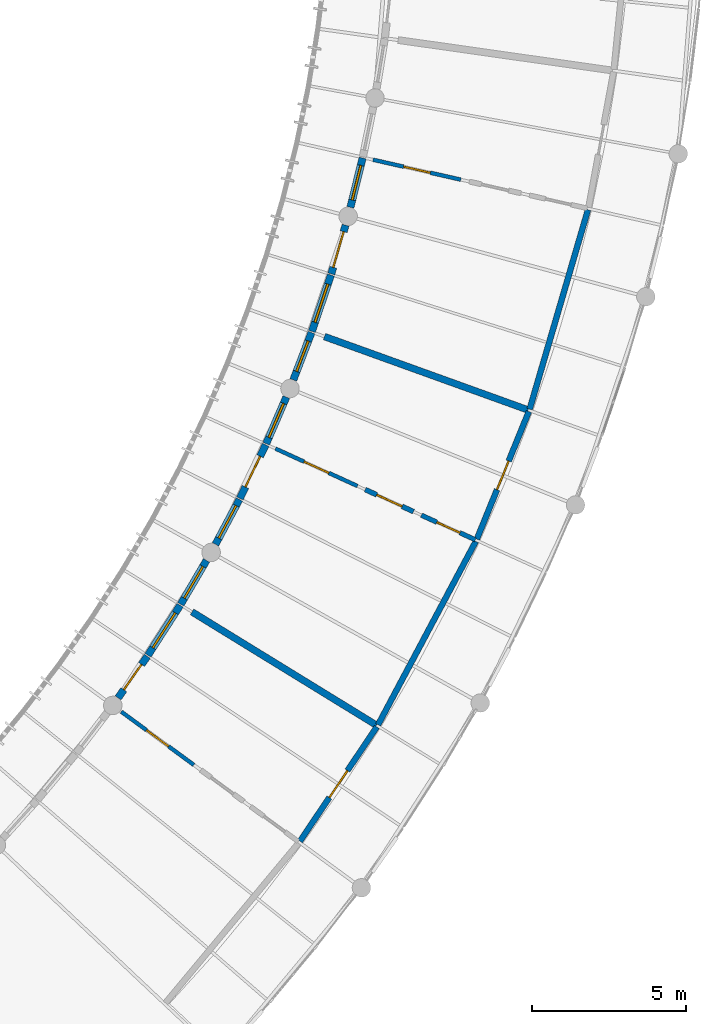
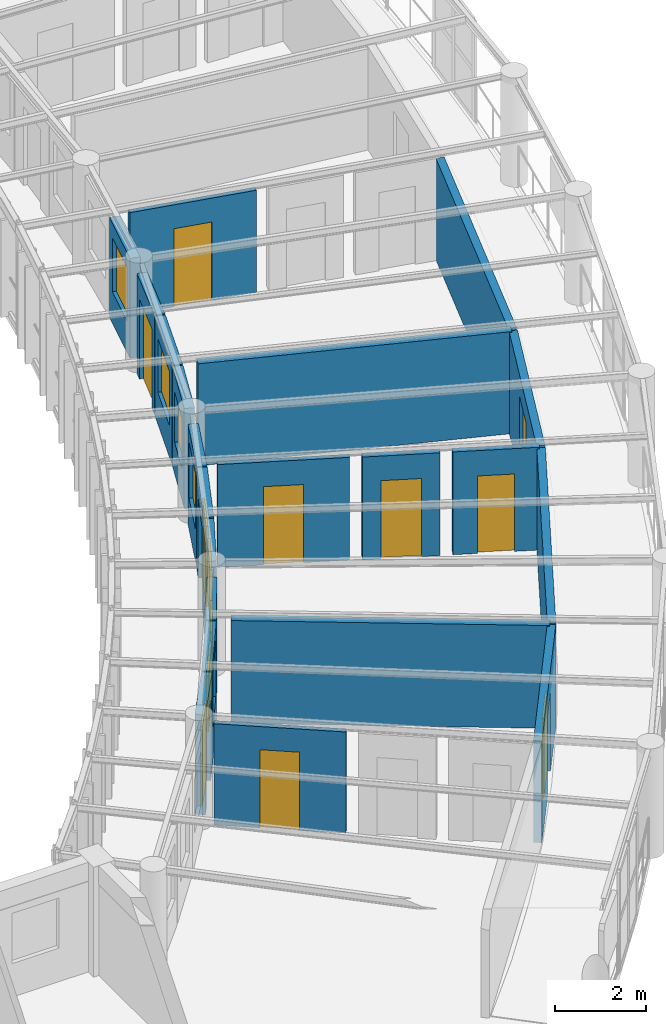
# One storey, part 60 of 100: 21 walls, 10 doors, 7 windows, 17 openings.
"""IFC4 building model written with IfcOpenShell, lengths in metres."""

import ifcopenshell
import ifcopenshell.guid

model = None  # the IFC model being written
_history = None  # IfcOwnerHistory: only IFC2X3 demands one
_inside = {}  # id of a spatial element -> (the spatial element, [elements in it])
_under = {}  # id of a project, library or spatial element -> (it, [spatial elements below it])
_declared = {}  # id of a project -> (the project, [libraries it declares])
_typed = {}  # id of a type object -> (the type object, [elements of that type])
_made_of = {}  # id of a material, layer set ... -> (it, [elements and type objects made of it])


def new_model(schema):
    """Start an empty IFC model of exactly this schema.

    Asked for "IFC4X3", IfcOpenShell would pick the latest addendum, in which some entities
    have other attributes; the version numbers below select the first issue.
    IFC2X3 requires an IfcOwnerHistory on every rooted entity: one is made here for all.
    """
    global model, _history
    if schema == "IFC4X3":
        model = ifcopenshell.file(schema_version=(4, 3, 0, 0))
    else:
        model = ifcopenshell.file(schema=schema)
    _inside.clear()
    _under.clear()
    _declared.clear()
    _typed.clear()
    _made_of.clear()
    _history = None
    if model.schema == "IFC2X3":
        org = make("IfcOrganization", Name="unknown")
        user = make(
            "IfcPersonAndOrganization",
            ThePerson=make("IfcPerson", FamilyName="unknown"),
            TheOrganization=org,
        )
        app = make(
            "IfcApplication",
            ApplicationDeveloper=org,
            Version="unknown",
            ApplicationFullName="unknown",
            ApplicationIdentifier="unknown",
        )
        _history = make(
            "IfcOwnerHistory",
            OwningUser=user,
            OwningApplication=app,
            ChangeAction="ADDED",
            CreationDate=0,
        )
    return model


def make(cls, **values):
    """One entity of the class cls with the attributes given. An attribute that is None is left unset."""
    return model.create_entity(
        cls, **{name: value for name, value in values.items() if value is not None}
    )


def rooted(cls, **values):
    """An entity with a GlobalId (a new one), such as an element, a storey or a relation."""
    return make(cls, GlobalId=ifcopenshell.guid.new(), OwnerHistory=_history, **values)


def si_unit(unit_type, name, prefix=None):
    """IfcSIUnit, for example si_unit("LENGTHUNIT", "METRE", prefix="MILLI")."""
    return make("IfcSIUnit", UnitType=unit_type, Prefix=prefix, Name=name)


def assignment(units):
    """IfcUnitAssignment: the units of a project."""
    return None if units is None else make("IfcUnitAssignment", Units=units)


def point(xyz):
    """IfcCartesianPoint."""
    return None if xyz is None else make("IfcCartesianPoint", Coordinates=xyz)


def direction(xyz):
    """IfcDirection."""
    return None if xyz is None else make("IfcDirection", DirectionRatios=xyz)


def frame(location, z_axis=None, x_axis=None):
    """IfcAxis2Placement3D, a coordinate frame: its origin and axes. An axis left out is left unset."""
    return make(
        "IfcAxis2Placement3D",
        Location=point(location),
        Axis=direction(z_axis),
        RefDirection=direction(x_axis),
    )


def frame_2d(location, x_axis=None):
    """IfcAxis2Placement2D, a coordinate frame in the plane: its origin and x axis."""
    return make(
        "IfcAxis2Placement2D", Location=point(location), RefDirection=direction(x_axis)
    )


def origin():
    """The frame at (0, 0, 0) with its axes left unset."""
    return frame((0.0, 0.0, 0.0))


def place(relative_to, where):
    """IfcLocalPlacement: puts the frame where relative to a parent placement (None: the world)."""
    return make(
        "IfcLocalPlacement", PlacementRelTo=relative_to, RelativePlacement=where
    )


def context(
    kind, dimensions, precision=None, world=None, true_north=None, identifier=None
):
    """IfcGeometricRepresentationContext, for example the 3D "Model" context."""
    return make(
        "IfcGeometricRepresentationContext",
        ContextIdentifier=identifier,
        ContextType=kind,
        CoordinateSpaceDimension=dimensions,
        Precision=precision,
        WorldCoordinateSystem=world,
        TrueNorth=true_north,
    )


def subcontext(parent, identifier, kind, view, scale=None):
    """IfcGeometricRepresentationSubContext, for example "Body" below "Model"."""
    return make(
        "IfcGeometricRepresentationSubContext",
        ContextIdentifier=identifier,
        ContextType=kind,
        ParentContext=parent,
        TargetScale=scale,
        TargetView=view,
    )


def project(units=None, contexts=None):
    """IfcProject with its units and contexts."""
    return rooted(
        "IfcProject",
        Name="project",
        RepresentationContexts=contexts,
        UnitsInContext=assignment(units),
    )


def spatial(cls, under=None, at=None, **own):
    """A site, building, storey or space (cls), placed at a placement, below another one or the project."""
    s = rooted(cls, ObjectPlacement=at, **own)
    if under is not None:
        _under.setdefault(under.id(), (under, []))[1].append(s)
    return s


def profile(cls, at=None, kind="AREA", **sizes):
    """A parametric profile (cls). Its sizes go by their IFC names, for example OverallWidth=200.0."""
    return make(cls, ProfileType=kind, Position=at, **sizes)


def rectangle(**sizes):
    """IfcRectangleProfileDef."""
    return profile("IfcRectangleProfileDef", **sizes)


def extrude(swept, where, along, depth):
    """IfcExtrudedAreaSolid: the profile swept, set in the frame where, extruded along a direction by depth."""
    return make(
        "IfcExtrudedAreaSolid",
        SweptArea=swept,
        Position=where,
        ExtrudedDirection=direction(along),
        Depth=depth,
    )


def shape(context_of_items, identifier, shape_type, items):
    """IfcShapeRepresentation: the items that make up one representation, for example the "Body"."""
    return make(
        "IfcShapeRepresentation",
        ContextOfItems=context_of_items,
        RepresentationIdentifier=identifier,
        RepresentationType=shape_type,
        Items=items,
    )


def material(Name=None, Category=None):
    """IfcMaterial."""
    return make("IfcMaterial", Name=Name, Category=Category)


def layer(
    of_material, thickness, ventilated=None, Name=None, Category=None, Priority=None
):
    """IfcMaterialLayer: one layer of a wall or slab, of a material (None: an air gap)."""
    return make(
        "IfcMaterialLayer",
        Material=of_material,
        LayerThickness=thickness,
        IsVentilated=ventilated,
        Name=Name,
        Category=Category,
        Priority=Priority,
    )


def layer_set(layers, Name=None):
    """IfcMaterialLayerSet."""
    return make("IfcMaterialLayerSet", MaterialLayers=layers, LayerSetName=Name)


def made_of(thing, what):
    """Note that an element or type object is made of a material, layer set ...; save() writes the relation."""
    if what is not None:
        _made_of.setdefault(what.id(), (what, []))[1].append(thing)
    return thing


def type_object(cls, material=None, **own):
    """A type object (cls), such as IfcWallType, which elements share."""
    return made_of(rooted(cls, **own), material)


def element(
    cls,
    number,
    at=None,
    inside=None,
    cuts=None,
    type_object=None,
    material=None,
    context=None,
    identifier="Body",
    shape_type=None,
    held_by="IfcProductDefinitionShape",
    body=None,
    shapes=None,
    **own,
):
    """One element of the class cls, such as IfcWall. Its Tag is "e" and its number.

    at: its placement. inside: the storey or other place that contains it. cuts: it is an
    opening in that element (IfcRelVoidsElement). A single representation is given by context,
    identifier, shape_type and body (its items); several are given by shapes. held_by: the class
    of the entity that holds the representations. save() writes the other relations.
    """
    e = rooted(cls, Tag="e%d" % number, ObjectPlacement=at, **own)
    if body is not None:
        shapes = [shape(context, identifier, shape_type, body)]
    if shapes is not None:
        e.Representation = make(held_by, Representations=shapes)
    if inside is not None:
        _inside.setdefault(inside.id(), (inside, []))[1].append(e)
    if cuts is not None:
        rooted(
            "IfcRelVoidsElement", RelatingBuildingElement=cuts, RelatedOpeningElement=e
        )
    if type_object is not None:
        _typed.setdefault(type_object.id(), (type_object, []))[1].append(e)
    return made_of(e, material)


def fill(opening, filler):
    """IfcRelFillsElement: the door or window that sits in an opening."""
    return rooted(
        "IfcRelFillsElement",
        RelatingOpeningElement=opening,
        RelatedBuildingElement=filler,
    )


def aggregate(whole, parts):
    """IfcRelAggregates: a whole, such as a stair, and the parts it consists of."""
    return rooted("IfcRelAggregates", RelatingObject=whole, RelatedObjects=parts)


def save(model, path):
    """Write the relations noted so far, then the file.

    IfcRelAggregates (storeys below a building ...), IfcRelContainedInSpatialStructure (elements
    in a storey), IfcRelDefinesByType, IfcRelAssociatesMaterial and IfcRelDeclares: one each for
    every whole, place, type object, material and project.
    """
    for whole, parts in _under.values():
        aggregate(whole, parts)
    for where, things in _inside.values():
        rooted(
            "IfcRelContainedInSpatialStructure",
            RelatedElements=things,
            RelatingStructure=where,
        )
    for kind, things in _typed.values():
        rooted("IfcRelDefinesByType", RelatedObjects=things, RelatingType=kind)
    for what, things in _made_of.values():
        rooted("IfcRelAssociatesMaterial", RelatedObjects=things, RelatingMaterial=what)
    for by, libraries in _declared.values():
        rooted("IfcRelDeclares", RelatingContext=by, RelatedDefinitions=libraries)
    model.write(path)


model = new_model("IFC4")

# Units and contexts
model_context = context("Model", 3, precision=1e-05, world=origin(), true_north=direction((0.0, 1.0)))
body_context = subcontext(model_context, "Body", "Model", "MODEL_VIEW")
ifc_project = project(units=[si_unit("LENGTHUNIT", "METRE"), si_unit("AREAUNIT", "SQUARE_METRE"), si_unit("VOLUMEUNIT", "CUBIC_METRE"), si_unit("PLANEANGLEUNIT", "RADIAN"), si_unit("MASSUNIT", "GRAM", prefix="KILO"), si_unit("POWERUNIT", "WATT"), si_unit("THERMODYNAMICTEMPERATUREUNIT", "KELVIN")], contexts=[model_context])

# Site, building, storey
site_placement = place(None, origin())
site = spatial("IfcSite", under=ifc_project, at=site_placement, CompositionType="ELEMENT")
building_placement = place(site_placement, origin())
building = spatial("IfcBuilding", under=site, at=building_placement, Name="Ruvembo Vaulted Housing Court", CompositionType="ELEMENT")
storey_placement = place(building_placement, frame((0.0, 0.0, 14.10009765625)))
storey = spatial("IfcBuildingStorey", under=building, at=storey_placement, Name="L04", CompositionType="ELEMENT", Elevation=14.10009765625)

# Wall, opening, door
ifc_material_1 = material(Name="Concrete Blockwork 190", Category="masonry")
ifc_layer_1 = layer(ifc_material_1, 0.18994140625, Name="Concrete Blockwork 190")
ifc_layer_set_1 = layer_set([ifc_layer_1], Name="Concrete Blockwork 190")
wall_type_1 = type_object("IfcWallType", Name="WL-CORR-190", PredefinedType="SOLIDWALL", material=ifc_layer_set_1)
wall_1_placement = place(storey_placement, frame((46.773681640625, 41.20703125, 0.0), z_axis=(0.0, 0.0, 1.0), x_axis=(0.55793724224, 0.829883144619, 0.0)))
wall_1 = element("IfcWall", 1, at=wall_1_placement, inside=storey, type_object=wall_type_1, Name="L04 Suite SC1-L04-U1 Entrance WL-INT-L04-01288", PredefinedType="SOLIDWALL", context=body_context, shape_type="SweptSolid", body=[
    extrude(rectangle(XDim=4.46728515625, YDim=0.18994140625, at=frame_2d((2.233642578125, 0.0))), origin(), (0.0, 0.0, 1.0), 2.741943359375),
])
opening_1_placement = place(wall_1_placement, frame((1.70849609375, 0.0, 0.0)))
opening_1 = element("IfcOpeningElement", 2, at=opening_1_placement, cuts=wall_1, Name="Opening FD3", PredefinedType="OPENING", context=body_context, shape_type="SweptSolid", body=[
    extrude(rectangle(XDim=1.050048828125, YDim=2.14990234375, at=frame_2d((0.52490234375, 1.074951171875))), frame((0.0, 0.10498046875, 0.0), z_axis=(0.0, -1.0, 0.0), x_axis=(1.0, 0.0, 0.0)), (0.0, 0.0, 1.0), 0.2099609375),
])
ifc_material_2 = material(Name="FSC Hardwood and Engineered Timber", Category="wood")
door_type_1 = type_object("IfcDoorType", Name="DR-FLAT-1050x2150", OperationType="NOTDEFINED", PredefinedType="DOOR", material=ifc_material_2)
door_1_placement = place(opening_1_placement, origin())
door_1 = element("IfcDoor", 3, at=door_1_placement, inside=storey, type_object=door_type_1, Name="L04 Suite SC1-L04-U1 Entrance Door DR-INT-L04-00716", OperationType="SINGLE_SWING_RIGHT", OverallHeight=2.14990234375, OverallWidth=1.050048828125, PredefinedType="DOOR", context=body_context, shape_type="SweptSolid", body=[
    extrude(rectangle(XDim=1.050048828125, YDim=2.14990234375, at=frame_2d((0.52490234375, 1.074951171875))), frame((0.0, 0.02490234375, 0.0), z_axis=(0.0, -1.0, 0.0), x_axis=(1.0, 0.0, 0.0)), (0.0, 0.0, 1.0), 0.050048828125),
])
fill(opening_1, door_1)

# Wall
wall_2_placement = place(storey_placement, frame((49.307373046875, 44.98291015625, 0.0), z_axis=(0.0, 0.0, 1.0), x_axis=(0.47013685006, 0.88259353171, 0.0)))
element("IfcWall", 4, at=wall_2_placement, inside=storey, type_object=wall_type_1, Name="L04 Suite SC1-L04-U2 Gallery Wall WL-INT-L04-01293", PredefinedType="SOLIDWALL", context=body_context, shape_type="SweptSolid", body=[
    extrude(rectangle(XDim=6.73828125, YDim=0.18994140625, at=frame_2d((3.369140625, 0.0))), origin(), (0.0, 0.0, 1.0), 2.721923828125),
])

# Wall, opening, door
wall_3_placement = place(storey_placement, frame((52.50927734375, 51.00244140625, 0.0), z_axis=(0.0, 0.0, 1.0), x_axis=(0.377413192487, 0.926044967665, 0.0)))
wall_3 = element("IfcWall", 5, at=wall_3_placement, inside=storey, type_object=wall_type_1, Name="L04 Suite SC1-L04-U2 Entrance WL-INT-L04-01294", PredefinedType="SOLIDWALL", context=body_context, shape_type="SweptSolid", body=[
    extrude(rectangle(XDim=4.46728515625, YDim=0.18994140625, at=frame_2d((2.233642578125, 0.0))), origin(), (0.0, 0.0, 1.0), 2.721923828125),
])
opening_2_placement = place(wall_3_placement, frame((1.733642578125, 0.0, 0.0)))
opening_2 = element("IfcOpeningElement", 6, at=opening_2_placement, cuts=wall_3, Name="Opening FD1", PredefinedType="OPENING", context=body_context, shape_type="SweptSolid", body=[
    extrude(rectangle(XDim=1.0, YDim=2.14990234375, at=frame_2d((0.5, 1.074951171875))), frame((0.0, 0.10498046875, 0.0), z_axis=(0.0, -1.0, 0.0), x_axis=(1.0, 0.0, 0.0)), (0.0, 0.0, 1.0), 0.2099609375),
])
door_type_2 = type_object("IfcDoorType", Name="DR-FLAT-1000x2150", OperationType="NOTDEFINED", PredefinedType="DOOR", material=ifc_material_2)
door_2_placement = place(opening_2_placement, origin())
door_2 = element("IfcDoor", 7, at=door_2_placement, inside=storey, type_object=door_type_2, Name="L04 Suite SC1-L04-U2 Entrance Door DR-INT-L04-00720", OperationType="SINGLE_SWING_RIGHT", OverallHeight=2.14990234375, OverallWidth=1.0, PredefinedType="DOOR", context=body_context, shape_type="SweptSolid", body=[
    extrude(rectangle(XDim=1.0, YDim=2.14990234375, at=frame_2d((0.5, 1.074951171875))), frame((0.0, 0.02490234375, 0.0), z_axis=(0.0, -1.0, 0.0), x_axis=(1.0, 0.0, 0.0)), (0.0, 0.0, 1.0), 0.050048828125),
])
fill(opening_2, door_2)

# Walls
wall_4_placement = place(storey_placement, frame((54.221435546875, 55.214599609375, 0.0), z_axis=(0.0, 0.0, 1.0), x_axis=(0.280749798049, 0.95978099111, 0.0)))
element("IfcWall", 8, at=wall_4_placement, inside=storey, type_object=wall_type_1, Name="L04 Suite SC1-L04-U3 Gallery Wall WL-INT-L04-01299", PredefinedType="SOLIDWALL", context=body_context, shape_type="SweptSolid", body=[
    extrude(rectangle(XDim=6.738525390625, YDim=0.18994140625, at=frame_2d((3.369140625, 0.0))), origin(), (0.0, 0.0, 1.0), 2.721923828125),
])
ifc_material_3 = material(Name="Acoustic Masonry Demising 220", Category="masonry")
ifc_layer_2 = layer(ifc_material_3, 0.219970703125, Name="Acoustic Masonry Demising 220")
ifc_layer_set_2 = layer_set([ifc_layer_2], Name="Acoustic Masonry Demising 220")
wall_type_2 = type_object("IfcWallType", Name="WL-DEM-200", PredefinedType="SOLIDWALL", material=ifc_layer_set_2)
wall_5_placement = place(storey_placement, frame((43.273193359375, 48.643310546875, 0.0), z_axis=(0.0, 0.0, 1.0), x_axis=(0.852035433886, -0.523484115713, 0.0)))
element("IfcWall", 9, at=wall_5_placement, inside=storey, type_object=wall_type_2, Name="L04 Suite SC1-L04-U1 Demising WL-INT-L04-01292", PredefinedType="SOLIDWALL", context=body_context, shape_type="SweptSolid", body=[
    extrude(rectangle(XDim=7.019775390625, YDim=0.219970703125, at=frame_2d((3.509765625, 0.0))), origin(), (0.0, 0.0, 1.0), 2.761962890625),
])
wall_6_placement = place(storey_placement, frame((47.56884765625, 57.57080078125, 0.0), z_axis=(0.0, 0.0, 1.0), x_axis=(0.940728143869, -0.339161553441, 0.0)))
element("IfcWall", 10, at=wall_6_placement, inside=storey, type_object=wall_type_2, Name="L04 Suite SC1-L04-U2 Demising WL-INT-L04-01298", PredefinedType="SOLIDWALL", context=body_context, shape_type="SweptSolid", body=[
    extrude(rectangle(XDim=7.019775390625, YDim=0.219970703125, at=frame_2d((3.509765625, 0.0))), origin(), (0.0, 0.0, 1.0), 2.741943359375),
])

# Wall, opening, door
ifc_material_4 = material(Name="Rendered Masonry 235", Category="masonry")
ifc_layer_3 = layer(ifc_material_4, 0.235107421875, Name="Rendered Masonry 235")
ifc_layer_set_3 = layer_set([ifc_layer_3], Name="Rendered Masonry 235")
wall_type_3 = type_object("IfcWallType", Name="WL-EXT-235", PredefinedType="STANDARD", material=ifc_layer_set_3)
wall_7_placement = place(storey_placement, frame((40.87646484375, 45.855224609375, 0.0), z_axis=(0.0, 0.0, 1.0), x_axis=(0.574755063072, 0.818325496043, 0.0)))
wall_7 = element("IfcWall", 11, at=wall_7_placement, inside=storey, type_object=wall_type_3, Name="Scoop SC1 L04 Concave Balcony Wall 3", PredefinedType="STANDARD", context=body_context, shape_type="SweptSolid", body=[
    extrude(rectangle(XDim=1.646728515625, YDim=0.235107421875, at=frame_2d((0.8232421875, 0.0))), origin(), (0.0, 0.0, 1.0), 2.683837890625),
])
opening_3_placement = place(wall_7_placement, frame((0.323486328125, 0.0, 0.0)))
opening_3 = element("IfcOpeningElement", 12, at=opening_3_placement, cuts=wall_7, Name="Opening BD1", PredefinedType="OPENING", context=body_context, shape_type="SweptSolid", body=[
    extrude(rectangle(XDim=1.0, YDim=2.14990234375, at=frame_2d((0.5, 1.074951171875))), frame((0.0, 0.12744140625, 0.0), z_axis=(0.0, -1.0, 0.0), x_axis=(1.0, 0.0, 0.0)), (0.0, 0.0, 1.0), 0.255126953125),
])
ifc_material_5 = material(Name="Thermally Broken Glazed Aluminium", Category="aluminium")
door_type_3 = type_object("IfcDoorType", Name="DR-BAL-1000x2150", OperationType="NOTDEFINED", PredefinedType="DOOR", material=ifc_material_5)
door_3_placement = place(opening_3_placement, origin())
door_3 = element("IfcDoor", 13, at=door_3_placement, inside=storey, type_object=door_type_3, Name="Scoop SC1 L04 Balcony Door 3", OperationType="SINGLE_SWING_RIGHT", OverallHeight=2.14990234375, OverallWidth=1.0, PredefinedType="DOOR", context=body_context, shape_type="SweptSolid", body=[
    extrude(rectangle(XDim=1.0, YDim=2.14990234375, at=frame_2d((0.5, 1.074951171875))), frame((0.0, 0.02490234375, 0.0), z_axis=(0.0, -1.0, 0.0), x_axis=(1.0, 0.0, 0.0)), (0.0, 0.0, 1.0), 0.050048828125),
])
fill(opening_3, door_3)

# Wall, opening, window
wall_8_placement = place(storey_placement, frame((41.84521484375, 47.236083984375, 0.0), z_axis=(0.0, 0.0, 1.0), x_axis=(0.540911277163, 0.841079657486, 0.0)))
wall_8 = element("IfcWall", 14, at=wall_8_placement, inside=storey, type_object=wall_type_3, Name="Scoop SC1 L04 Concave Balcony Wall 4", PredefinedType="STANDARD", context=body_context, shape_type="SweptSolid", body=[
    extrude(rectangle(XDim=1.9267578125, YDim=0.235107421875, at=frame_2d((0.96337890625, 0.0))), origin(), (0.0, 0.0, 1.0), 2.683837890625),
])
opening_4_placement = place(wall_8_placement, frame((0.288330078125, 0.0, 0.85009765625)))
opening_4 = element("IfcOpeningElement", 15, at=opening_4_placement, cuts=wall_8, Name="Opening W16", PredefinedType="OPENING", context=body_context, shape_type="SweptSolid", body=[
    extrude(rectangle(XDim=1.35009765625, YDim=1.5, at=frame_2d((0.675048828125, 0.75))), frame((0.0, 0.12744140625, 0.0), z_axis=(0.0, -1.0, 0.0), x_axis=(1.0, 0.0, 0.0)), (0.0, 0.0, 1.0), 0.255126953125),
])
ifc_material_6 = material(Name="Double Solar-Control Glazing in Aluminium Frame", Category="aluminium")
window_type_1 = type_object("IfcWindowType", Name="WIN-1350x1500", PartitioningType="SINGLE_PANEL", PredefinedType="WINDOW", material=ifc_material_6)
window_1_placement = place(opening_4_placement, origin())
window_1 = element("IfcWindow", 16, at=window_1_placement, inside=storey, type_object=window_type_1, Name="Scoop SC1 L04 Concave Window 4", OverallHeight=1.5, OverallWidth=1.35009765625, PartitioningType="SINGLE_PANEL", PredefinedType="WINDOW", context=body_context, shape_type="SweptSolid", body=[
    extrude(rectangle(XDim=1.35009765625, YDim=1.5, at=frame_2d((0.675048828125, 0.75))), frame((0.0, 0.030029296875, 0.0), z_axis=(0.0, -1.0, 0.0), x_axis=(1.0, 0.0, 0.0)), (0.0, 0.0, 1.0), 0.06005859375),
])
fill(opening_4, window_1)

wall_9_placement = place(storey_placement, frame((42.908203125, 48.890869140625, 0.0), z_axis=(0.0, 0.0, 1.0), x_axis=(0.505879302059, 0.862604272971, 0.0)))
wall_9 = element("IfcWall", 17, at=wall_9_placement, inside=storey, type_object=wall_type_3, Name="Scoop SC1 L04 Concave Balcony Wall 5", PredefinedType="STANDARD", context=body_context, shape_type="SweptSolid", body=[
    extrude(rectangle(XDim=1.646728515625, YDim=0.235107421875, at=frame_2d((0.8232421875, 0.0))), origin(), (0.0, 0.0, 1.0), 2.683837890625),
])
opening_5_placement = place(wall_9_placement, frame((0.223388671875, 0.0, 0.85009765625)))
opening_5 = element("IfcOpeningElement", 18, at=opening_5_placement, cuts=wall_9, Name="Opening W12", PredefinedType="OPENING", context=body_context, shape_type="SweptSolid", body=[
    extrude(rectangle(XDim=1.199951171875, YDim=1.35009765625, at=frame_2d((0.60009765625, 0.675048828125))), frame((0.0, 0.12744140625, 0.0), z_axis=(0.0, -1.0, 0.0), x_axis=(1.0, 0.0, 0.0)), (0.0, 0.0, 1.0), 0.255126953125),
])
window_type_2 = type_object("IfcWindowType", Name="WIN-1200x1350", PartitioningType="SINGLE_PANEL", PredefinedType="WINDOW", material=ifc_material_6)
window_2_placement = place(opening_5_placement, origin())
window_2 = element("IfcWindow", 19, at=window_2_placement, inside=storey, type_object=window_type_2, Name="Scoop SC1 L04 Concave Window 5", OverallHeight=1.35009765625, OverallWidth=1.199951171875, PartitioningType="SINGLE_PANEL", PredefinedType="WINDOW", context=body_context, shape_type="SweptSolid", body=[
    extrude(rectangle(XDim=1.199951171875, YDim=1.35009765625, at=frame_2d((0.60009765625, 0.675048828125))), frame((0.0, 0.030029296875, 0.0), z_axis=(0.0, -1.0, 0.0), x_axis=(1.0, 0.0, 0.0)), (0.0, 0.0, 1.0), 0.06005859375),
])
fill(opening_5, window_2)

wall_10_placement = place(storey_placement, frame((44.0341796875, 50.834716796875, 0.0), z_axis=(0.0, 0.0, 1.0), x_axis=(0.470134157171, 0.882594966143, 0.0)))
wall_10 = element("IfcWall", 20, at=wall_10_placement, inside=storey, type_object=wall_type_3, Name="Scoop SC1 L04 Concave Balcony Wall 6", PredefinedType="STANDARD", context=body_context, shape_type="SweptSolid", body=[
    extrude(rectangle(XDim=1.646728515625, YDim=0.235107421875, at=frame_2d((0.8232421875, 0.0))), origin(), (0.0, 0.0, 1.0), 2.683837890625),
])
opening_6_placement = place(wall_10_placement, frame((0.223388671875, 0.0, 0.85009765625)))
opening_6 = element("IfcOpeningElement", 21, at=opening_6_placement, cuts=wall_10, Name="Opening W13", PredefinedType="OPENING", context=body_context, shape_type="SweptSolid", body=[
    extrude(rectangle(XDim=1.199951171875, YDim=1.449951171875, at=frame_2d((0.60009765625, 0.72509765625))), frame((0.0, 0.12744140625, 0.0), z_axis=(0.0, -1.0, 0.0), x_axis=(1.0, 0.0, 0.0)), (0.0, 0.0, 1.0), 0.255126953125),
])
window_type_3 = type_object("IfcWindowType", Name="WIN-1200x1450", PartitioningType="SINGLE_PANEL", PredefinedType="WINDOW", material=ifc_material_6)
window_3_placement = place(opening_6_placement, origin())
window_3 = element("IfcWindow", 22, at=window_3_placement, inside=storey, type_object=window_type_3, Name="Scoop SC1 L04 Concave Window 6", OverallHeight=1.449951171875, OverallWidth=1.199951171875, PartitioningType="SINGLE_PANEL", PredefinedType="WINDOW", context=body_context, shape_type="SweptSolid", body=[
    extrude(rectangle(XDim=1.199951171875, YDim=1.449951171875, at=frame_2d((0.60009765625, 0.72509765625))), frame((0.0, 0.030029296875, 0.0), z_axis=(0.0, -1.0, 0.0), x_axis=(1.0, 0.0, 0.0)), (0.0, 0.0, 1.0), 0.06005859375),
])
fill(opening_6, window_3)

# Wall, opening, door
wall_11_placement = place(storey_placement, frame((44.826416015625, 52.323974609375, 0.0), z_axis=(0.0, 0.0, 1.0), x_axis=(0.433579410465, 0.90111536155, 0.0)))
wall_11 = element("IfcWall", 23, at=wall_11_placement, inside=storey, type_object=wall_type_3, Name="Scoop SC1 L04 Concave Balcony Wall 7", PredefinedType="STANDARD", context=body_context, shape_type="SweptSolid", body=[
    extrude(rectangle(XDim=1.9267578125, YDim=0.235107421875, at=frame_2d((0.96337890625, 0.0))), origin(), (0.0, 0.0, 1.0), 2.683837890625),
])
opening_7_placement = place(wall_11_placement, frame((0.413330078125, 0.0, 0.0)))
opening_7 = element("IfcOpeningElement", 24, at=opening_7_placement, cuts=wall_11, Name="Opening BD3", PredefinedType="OPENING", context=body_context, shape_type="SweptSolid", body=[
    extrude(rectangle(XDim=1.10009765625, YDim=2.14990234375, at=frame_2d((0.550048828125, 1.074951171875))), frame((0.0, 0.12744140625, 0.0), z_axis=(0.0, -1.0, 0.0), x_axis=(1.0, 0.0, 0.0)), (0.0, 0.0, 1.0), 0.255126953125),
])
door_type_4 = type_object("IfcDoorType", Name="DR-BAL-1100x2150", OperationType="NOTDEFINED", PredefinedType="DOOR", material=ifc_material_5)
door_4_placement = place(opening_7_placement, origin())
door_4 = element("IfcDoor", 25, at=door_4_placement, inside=storey, type_object=door_type_4, Name="Scoop SC1 L04 Balcony Door 7", OperationType="SINGLE_SWING_LEFT", OverallHeight=2.14990234375, OverallWidth=1.10009765625, PredefinedType="DOOR", context=body_context, shape_type="SweptSolid", body=[
    extrude(rectangle(XDim=1.10009765625, YDim=2.14990234375, at=frame_2d((0.550048828125, 1.074951171875))), frame((0.0, 0.02490234375, 0.0), z_axis=(0.0, -1.0, 0.0), x_axis=(1.0, 0.0, 0.0)), (0.0, 0.0, 1.0), 0.050048828125),
])
fill(opening_7, door_4)

# Wall, opening, window
wall_12_placement = place(storey_placement, frame((45.678466796875, 54.0966796875, 0.0), z_axis=(0.0, 0.0, 1.0), x_axis=(0.396333765494, 0.918106500538, 0.0)))
wall_12 = element("IfcWall", 26, at=wall_12_placement, inside=storey, type_object=wall_type_3, Name="Scoop SC1 L04 Concave Balcony Wall 8", PredefinedType="STANDARD", context=body_context, shape_type="SweptSolid", body=[
    extrude(rectangle(XDim=1.646484375, YDim=0.235107421875, at=frame_2d((0.8232421875, 0.0))), origin(), (0.0, 0.0, 1.0), 2.683837890625),
])
opening_8_placement = place(wall_12_placement, frame((0.223388671875, 0.0, 0.85009765625)))
opening_8 = element("IfcOpeningElement", 27, at=opening_8_placement, cuts=wall_12, Name="Opening W14", PredefinedType="OPENING", context=body_context, shape_type="SweptSolid", body=[
    extrude(rectangle(XDim=1.199951171875, YDim=1.5, at=frame_2d((0.60009765625, 0.75))), frame((0.0, 0.12744140625, 0.0), z_axis=(0.0, -1.0, 0.0), x_axis=(1.0, 0.0, 0.0)), (0.0, 0.0, 1.0), 0.255126953125),
])
window_type_4 = type_object("IfcWindowType", Name="WIN-1200x1500", PartitioningType="SINGLE_PANEL", PredefinedType="WINDOW", material=ifc_material_6)
window_4_placement = place(opening_8_placement, origin())
window_4 = element("IfcWindow", 28, at=window_4_placement, inside=storey, type_object=window_type_4, Name="Scoop SC1 L04 Concave Window 8", OverallHeight=1.5, OverallWidth=1.199951171875, PartitioningType="SINGLE_PANEL", PredefinedType="WINDOW", context=body_context, shape_type="SweptSolid", body=[
    extrude(rectangle(XDim=1.199951171875, YDim=1.5, at=frame_2d((0.60009765625, 0.75))), frame((0.0, 0.030029296875, 0.0), z_axis=(0.0, -1.0, 0.0), x_axis=(1.0, 0.0, 0.0)), (0.0, 0.0, 1.0), 0.06005859375),
])
fill(opening_8, window_4)

wall_13_placement = place(storey_placement, frame((46.5576171875, 56.1640625, 0.0), z_axis=(0.0, 0.0, 1.0), x_axis=(0.358343161541, 0.933589941343, 0.0)))
wall_13 = element("IfcWall", 29, at=wall_13_placement, inside=storey, type_object=wall_type_3, Name="Scoop SC1 L04 Concave Balcony Wall 9", PredefinedType="STANDARD", context=body_context, shape_type="SweptSolid", body=[
    extrude(rectangle(XDim=1.646728515625, YDim=0.235107421875, at=frame_2d((0.8232421875, 0.0))), origin(), (0.0, 0.0, 1.0), 2.683837890625),
])
opening_9_placement = place(wall_13_placement, frame((0.29833984375, 0.0, 0.85009765625)))
opening_9 = element("IfcOpeningElement", 30, at=opening_9_placement, cuts=wall_13, Name="Opening W09", PredefinedType="OPENING", context=body_context, shape_type="SweptSolid", body=[
    extrude(rectangle(XDim=1.050048828125, YDim=1.35009765625, at=frame_2d((0.52490234375, 0.675048828125))), frame((0.0, 0.12744140625, 0.0), z_axis=(0.0, -1.0, 0.0), x_axis=(1.0, 0.0, 0.0)), (0.0, 0.0, 1.0), 0.255126953125),
])
window_type_5 = type_object("IfcWindowType", Name="WIN-1050x1350", PartitioningType="SINGLE_PANEL", PredefinedType="WINDOW", material=ifc_material_6)
window_5_placement = place(opening_9_placement, origin())
window_5 = element("IfcWindow", 31, at=window_5_placement, inside=storey, type_object=window_type_5, Name="Scoop SC1 L04 Concave Window 9", OverallHeight=1.35009765625, OverallWidth=1.050048828125, PartitioningType="SINGLE_PANEL", PredefinedType="WINDOW", context=body_context, shape_type="SweptSolid", body=[
    extrude(rectangle(XDim=1.050048828125, YDim=1.35009765625, at=frame_2d((0.52490234375, 0.675048828125))), frame((0.0, 0.030029296875, 0.0), z_axis=(0.0, -1.0, 0.0), x_axis=(1.0, 0.0, 0.0)), (0.0, 0.0, 1.0), 0.06005859375),
])
fill(opening_9, window_5)

wall_14_placement = place(storey_placement, frame((47.161376953125, 57.739013671875, 0.0), z_axis=(0.0, 0.0, 1.0), x_axis=(0.319798549746, 0.947485560618, 0.0)))
wall_14 = element("IfcWall", 32, at=wall_14_placement, inside=storey, type_object=wall_type_3, Name="Scoop SC1 L04 Concave Balcony Wall 10", PredefinedType="STANDARD", context=body_context, shape_type="SweptSolid", body=[
    extrude(rectangle(XDim=1.9267578125, YDim=0.235107421875, at=frame_2d((0.96337890625, 0.0))), origin(), (0.0, 0.0, 1.0), 2.683837890625),
])
opening_10_placement = place(wall_14_placement, frame((0.3134765625, 0.0, 0.85009765625)))
opening_10 = element("IfcOpeningElement", 33, at=opening_10_placement, cuts=wall_14, Name="Opening W15", PredefinedType="OPENING", context=body_context, shape_type="SweptSolid", body=[
    extrude(rectangle(XDim=1.300048828125, YDim=1.449951171875, at=frame_2d((0.64990234375, 0.72509765625))), frame((0.0, 0.12744140625, 0.0), z_axis=(0.0, -1.0, 0.0), x_axis=(1.0, 0.0, 0.0)), (0.0, 0.0, 1.0), 0.255126953125),
])
window_type_6 = type_object("IfcWindowType", Name="WIN-1300x1450", PartitioningType="SINGLE_PANEL", PredefinedType="WINDOW", material=ifc_material_6)
window_6_placement = place(opening_10_placement, origin())
window_6 = element("IfcWindow", 34, at=window_6_placement, inside=storey, type_object=window_type_6, Name="Scoop SC1 L04 Concave Window 10", OverallHeight=1.449951171875, OverallWidth=1.300048828125, PartitioningType="SINGLE_PANEL", PredefinedType="WINDOW", context=body_context, shape_type="SweptSolid", body=[
    extrude(rectangle(XDim=1.300048828125, YDim=1.449951171875, at=frame_2d((0.64990234375, 0.72509765625))), frame((0.0, 0.030029296875, 0.0), z_axis=(0.0, -1.0, 0.0), x_axis=(1.0, 0.0, 0.0)), (0.0, 0.0, 1.0), 0.06005859375),
])
fill(opening_10, window_6)

# Wall, opening, door
wall_15_placement = place(storey_placement, frame((47.78955078125, 59.602783203125, 0.0), z_axis=(0.0, 0.0, 1.0), x_axis=(0.280648942253, 0.959810487134, 0.0)))
wall_15 = element("IfcWall", 35, at=wall_15_placement, inside=storey, type_object=wall_type_3, Name="Scoop SC1 L04 Concave Balcony Wall 11", PredefinedType="STANDARD", context=body_context, shape_type="SweptSolid", body=[
    extrude(rectangle(XDim=1.646728515625, YDim=0.235107421875, at=frame_2d((0.8232421875, 0.0))), origin(), (0.0, 0.0, 1.0), 2.683837890625),
])
opening_11_placement = place(wall_15_placement, frame((0.223388671875, 0.0, 0.0)))
opening_11 = element("IfcOpeningElement", 36, at=opening_11_placement, cuts=wall_15, Name="Opening BD2", PredefinedType="OPENING", context=body_context, shape_type="SweptSolid", body=[
    extrude(rectangle(XDim=1.199951171875, YDim=2.14990234375, at=frame_2d((0.60009765625, 1.074951171875))), frame((0.0, 0.12744140625, 0.0), z_axis=(0.0, -1.0, 0.0), x_axis=(1.0, 0.0, 0.0)), (0.0, 0.0, 1.0), 0.255126953125),
])
door_type_5 = type_object("IfcDoorType", Name="DR-BAL-1200x2150", OperationType="NOTDEFINED", PredefinedType="DOOR", material=ifc_material_5)
door_5_placement = place(opening_11_placement, origin())
door_5 = element("IfcDoor", 37, at=door_5_placement, inside=storey, type_object=door_type_5, Name="Scoop SC1 L04 Balcony Door 11", OperationType="SINGLE_SWING_RIGHT", OverallHeight=2.14990234375, OverallWidth=1.199951171875, PredefinedType="DOOR", context=body_context, shape_type="SweptSolid", body=[
    extrude(rectangle(XDim=1.199951171875, YDim=2.14990234375, at=frame_2d((0.60009765625, 1.074951171875))), frame((0.0, 0.02490234375, 0.0), z_axis=(0.0, -1.0, 0.0), x_axis=(1.0, 0.0, 0.0)), (0.0, 0.0, 1.0), 0.050048828125),
])
fill(opening_11, door_5)

# Wall, opening, window
wall_16_placement = place(storey_placement, frame((48.408447265625, 61.76220703125, 0.0), z_axis=(0.0, 0.0, 1.0), x_axis=(0.241175130643, 0.970481610521, 0.0)))
wall_16 = element("IfcWall", 38, at=wall_16_placement, inside=storey, type_object=wall_type_3, Name="Scoop SC1 L04 Concave Balcony Wall 12", PredefinedType="STANDARD", context=body_context, shape_type="SweptSolid", body=[
    extrude(rectangle(XDim=1.64697265625, YDim=0.235107421875, at=frame_2d((0.823486328125, 0.0))), origin(), (0.0, 0.0, 1.0), 2.683837890625),
])
opening_12_placement = place(wall_16_placement, frame((0.248291015625, 0.0, 0.85009765625)))
opening_12 = element("IfcOpeningElement", 39, at=opening_12_placement, cuts=wall_16, Name="Opening W11", PredefinedType="OPENING", context=body_context, shape_type="SweptSolid", body=[
    extrude(rectangle(XDim=1.14990234375, YDim=1.449951171875, at=frame_2d((0.574951171875, 0.72509765625))), frame((0.0, 0.12744140625, 0.0), z_axis=(0.0, -1.0, 0.0), x_axis=(1.0, 0.0, 0.0)), (0.0, 0.0, 1.0), 0.255126953125),
])
window_type_7 = type_object("IfcWindowType", Name="WIN-1150x1450", PartitioningType="SINGLE_PANEL", PredefinedType="WINDOW", material=ifc_material_6)
window_7_placement = place(opening_12_placement, origin())
window_7 = element("IfcWindow", 40, at=window_7_placement, inside=storey, type_object=window_type_7, Name="Scoop SC1 L04 Concave Window 12", OverallHeight=1.449951171875, OverallWidth=1.14990234375, PartitioningType="SINGLE_PANEL", PredefinedType="WINDOW", context=body_context, shape_type="SweptSolid", body=[
    extrude(rectangle(XDim=1.14990234375, YDim=1.449951171875, at=frame_2d((0.574951171875, 0.72509765625))), frame((0.0, 0.030029296875, 0.0), z_axis=(0.0, -1.0, 0.0), x_axis=(1.0, 0.0, 0.0)), (0.0, 0.0, 1.0), 0.06005859375),
])
fill(opening_12, window_7)

# Wall, opening, door
ifc_material_7 = material(Name="Plasterboard Stud Partition 125", Category="gypsum")
ifc_layer_4 = layer(ifc_material_7, 0.125, Name="Plasterboard Stud Partition 125")
ifc_layer_set_4 = layer_set([ifc_layer_4], Name="Plasterboard Stud Partition 125")
wall_type_4 = type_object("IfcWallType", Name="WL-PART-125", PredefinedType="PARTITIONING", material=ifc_layer_set_4)
wall_17_placement = place(storey_placement, frame((40.978271484375, 45.40869140625, 0.0), z_axis=(0.0, 0.0, 1.0), x_axis=(0.806306627453, -0.591497778969, 0.0)))
wall_17 = element("IfcWall", 41, at=wall_17_placement, inside=storey, type_object=wall_type_4, Name="L04 Suite SC1-L04-U1 Bedroom WL-INT-L04-01289", PredefinedType="PARTITIONING", context=body_context, shape_type="SweptSolid", body=[
    extrude(rectangle(XDim=2.919677734375, YDim=0.125, at=frame_2d((1.4599609375, 0.0))), origin(), (0.0, 0.0, 1.0), 2.721923828125),
])
opening_13_placement = place(wall_17_placement, frame((1.02001953125, 0.0, 0.0)))
opening_13 = element("IfcOpeningElement", 42, at=opening_13_placement, cuts=wall_17, Name="Opening ID3", PredefinedType="OPENING", context=body_context, shape_type="SweptSolid", body=[
    extrude(rectangle(XDim=0.8798828125, YDim=2.10009765625, at=frame_2d((0.43994140625, 1.050048828125))), frame((0.0, 0.072509765625, 0.0), z_axis=(0.0, -1.0, 0.0), x_axis=(1.0, 0.0, 0.0)), (0.0, 0.0, 1.0), 0.14501953125),
])
door_type_6 = type_object("IfcDoorType", Name="DR-ROOM-0880x2100", OperationType="NOTDEFINED", PredefinedType="DOOR", material=ifc_material_2)
door_6_placement = place(opening_13_placement, origin())
door_6 = element("IfcDoor", 43, at=door_6_placement, inside=storey, type_object=door_type_6, Name="L04 Suite SC1-L04-U1 Bedroom Door DR-INT-L04-00717", OperationType="SINGLE_SWING_LEFT", OverallHeight=2.10009765625, OverallWidth=0.8798828125, PredefinedType="DOOR", context=body_context, shape_type="SweptSolid", body=[
    extrude(rectangle(XDim=0.8798828125, YDim=2.10009765625, at=frame_2d((0.43994140625, 1.050048828125))), frame((0.0, 0.02490234375, 0.0), z_axis=(0.0, -1.0, 0.0), x_axis=(1.0, 0.0, 0.0)), (0.0, 0.0, 1.0), 0.050048828125),
])
fill(opening_13, door_6)

wall_18_placement = place(storey_placement, frame((45.97998046875, 53.93701171875, 0.0), z_axis=(0.0, 0.0, 1.0), x_axis=(0.909795784273, -0.415056178029, 0.0)))
wall_18 = element("IfcWall", 44, at=wall_18_placement, inside=storey, type_object=wall_type_4, Name="L04 Suite SC1-L04-U2 Bedroom WL-INT-L04-01295", PredefinedType="PARTITIONING", context=body_context, shape_type="SweptSolid", body=[
    extrude(rectangle(XDim=2.919921875, YDim=0.125, at=frame_2d((1.4599609375, 0.0))), origin(), (0.0, 0.0, 1.0), 2.761962890625),
])
opening_14_placement = place(wall_18_placement, frame((1.02001953125, 0.0, 0.0)))
opening_14 = element("IfcOpeningElement", 45, at=opening_14_placement, cuts=wall_18, Name="Opening ID3", PredefinedType="OPENING", context=body_context, shape_type="SweptSolid", body=[
    extrude(rectangle(XDim=0.8798828125, YDim=2.10009765625, at=frame_2d((0.43994140625, 1.050048828125))), frame((0.0, 0.072509765625, 0.0), z_axis=(0.0, -1.0, 0.0), x_axis=(1.0, 0.0, 0.0)), (0.0, 0.0, 1.0), 0.14501953125),
])
door_7_placement = place(opening_14_placement, origin())
door_7 = element("IfcDoor", 46, at=door_7_placement, inside=storey, type_object=door_type_6, Name="L04 Suite SC1-L04-U2 Bedroom Door DR-INT-L04-00721", OperationType="SINGLE_SWING_LEFT", OverallHeight=2.10009765625, OverallWidth=0.8798828125, PredefinedType="DOOR", context=body_context, shape_type="SweptSolid", body=[
    extrude(rectangle(XDim=0.8798828125, YDim=2.10009765625, at=frame_2d((0.43994140625, 1.050048828125))), frame((0.0, 0.02490234375, 0.0), z_axis=(0.0, -1.0, 0.0), x_axis=(1.0, 0.0, 0.0)), (0.0, 0.0, 1.0), 0.050048828125),
])
fill(opening_14, door_7)

wall_19_placement = place(storey_placement, frame((49.14208984375, 63.3046875, 0.0), z_axis=(0.0, 0.0, 1.0), x_axis=(0.975217386735, -0.221248838661, 0.0)))
wall_19 = element("IfcWall", 47, at=wall_19_placement, inside=storey, type_object=wall_type_4, Name="L04 Suite SC1-L04-U3 Bedroom WL-INT-L04-01301", PredefinedType="PARTITIONING", context=body_context, shape_type="SweptSolid", body=[
    extrude(rectangle(XDim=2.919677734375, YDim=0.125, at=frame_2d((1.4599609375, 0.0))), origin(), (0.0, 0.0, 1.0), 2.741943359375),
])
opening_15_placement = place(wall_19_placement, frame((1.02001953125, 0.0, 0.0)))
opening_15 = element("IfcOpeningElement", 48, at=opening_15_placement, cuts=wall_19, Name="Opening ID3", PredefinedType="OPENING", context=body_context, shape_type="SweptSolid", body=[
    extrude(rectangle(XDim=0.8798828125, YDim=2.10009765625, at=frame_2d((0.43994140625, 1.050048828125))), frame((0.0, 0.072509765625, 0.0), z_axis=(0.0, -1.0, 0.0), x_axis=(1.0, 0.0, 0.0)), (0.0, 0.0, 1.0), 0.14501953125),
])
door_8_placement = place(opening_15_placement, origin())
door_8 = element("IfcDoor", 49, at=door_8_placement, inside=storey, type_object=door_type_6, Name="L04 Suite SC1-L04-U3 Bedroom Door DR-INT-L04-00725", OperationType="SINGLE_SWING_LEFT", OverallHeight=2.10009765625, OverallWidth=0.8798828125, PredefinedType="DOOR", context=body_context, shape_type="SweptSolid", body=[
    extrude(rectangle(XDim=0.8798828125, YDim=2.10009765625, at=frame_2d((0.43994140625, 1.050048828125))), frame((0.0, 0.02490234375, 0.0), z_axis=(0.0, -1.0, 0.0), x_axis=(1.0, 0.0, 0.0)), (0.0, 0.0, 1.0), 0.050048828125),
])
fill(opening_15, door_8)

ifc_material_8 = material(Name="Moisture-Resistant Wet Partition 150", Category="gypsum")
ifc_layer_5 = layer(ifc_material_8, 0.14990234375, Name="Moisture-Resistant Wet Partition 150")
ifc_layer_set_5 = layer_set([ifc_layer_5], Name="Moisture-Resistant Wet Partition 150")
wall_type_5 = type_object("IfcWallType", Name="WL-PART-150", PredefinedType="PARTITIONING", material=ifc_layer_set_5)
wall_20_placement = place(storey_placement, frame((50.7109375, 51.77880859375, 0.0), z_axis=(0.0, 0.0, 1.0), x_axis=(0.90980388611, -0.415038418485, 0.0)))
wall_20 = element("IfcWall", 50, at=wall_20_placement, inside=storey, type_object=wall_type_5, Name="L04 Suite SC1-L04-U2 Bathroom WL-INT-L04-01297", PredefinedType="PARTITIONING", context=body_context, shape_type="SweptSolid", body=[
    extrude(rectangle(XDim=1.919921875, YDim=0.14990234375, at=frame_2d((0.9599609375, 0.0))), origin(), (0.0, 0.0, 1.0), 2.761962890625),
])
opening_16_placement = place(wall_20_placement, frame((0.550048828125, 0.0, 0.0)))
opening_16 = element("IfcOpeningElement", 51, at=opening_16_placement, cuts=wall_20, Name="Opening ID4", PredefinedType="OPENING", context=body_context, shape_type="SweptSolid", body=[
    extrude(rectangle(XDim=0.820068359375, YDim=2.080078125, at=frame_2d((0.41015625, 1.0400390625))), frame((0.0, 0.0849609375, 0.0), z_axis=(0.0, -1.0, 0.0), x_axis=(1.0, 0.0, 0.0)), (0.0, 0.0, 1.0), 0.169921875),
])
door_type_7 = type_object("IfcDoorType", Name="DR-WET-0820x2080", OperationType="NOTDEFINED", PredefinedType="DOOR", material=ifc_material_2)
door_9_placement = place(opening_16_placement, origin())
door_9 = element("IfcDoor", 52, at=door_9_placement, inside=storey, type_object=door_type_7, Name="L04 Suite SC1-L04-U2 Bathroom Door DR-INT-L04-00723", OperationType="SINGLE_SWING_LEFT", OverallHeight=2.080078125, OverallWidth=0.820068359375, PredefinedType="DOOR", context=body_context, shape_type="SweptSolid", body=[
    extrude(rectangle(XDim=0.820068359375, YDim=2.080078125, at=frame_2d((0.41015625, 1.0400390625))), frame((0.0, 0.02490234375, 0.0), z_axis=(0.0, -1.0, 0.0), x_axis=(1.0, 0.0, 0.0)), (0.0, 0.0, 1.0), 0.050048828125),
])
fill(opening_16, door_9)

ifc_material_9 = material(Name="Acoustic Service Chase Wall 160", Category="gypsum")
ifc_layer_6 = layer(ifc_material_9, 0.159912109375, Name="Acoustic Service Chase Wall 160")
ifc_layer_set_6 = layer_set([ifc_layer_6], Name="Acoustic Service Chase Wall 160")
wall_type_6 = type_object("IfcWallType", Name="WL-PLUMB-160", PredefinedType="PLUMBINGWALL", material=ifc_layer_set_6)
wall_21_placement = place(storey_placement, frame((48.891357421875, 52.60888671875, 0.0), z_axis=(0.0, 0.0, 1.0), x_axis=(0.909787074161, -0.415075269909, 0.0)))
wall_21 = element("IfcWall", 53, at=wall_21_placement, inside=storey, type_object=wall_type_6, Name="L04 Suite SC1-L04-U2 Kitchen WL-INT-L04-01296", PredefinedType="PLUMBINGWALL", context=body_context, shape_type="SweptSolid", body=[
    extrude(rectangle(XDim=1.719970703125, YDim=0.159912109375, at=frame_2d((0.85986328125, 0.0))), origin(), (0.0, 0.0, 1.0), 2.761962890625),
])
opening_17_placement = place(wall_21_placement, frame((0.409912109375, 0.0, 0.0)))
opening_17 = element("IfcOpeningElement", 54, at=opening_17_placement, cuts=wall_21, Name="Opening ID1", PredefinedType="OPENING", context=body_context, shape_type="SweptSolid", body=[
    extrude(rectangle(XDim=0.89990234375, YDim=2.10009765625, at=frame_2d((0.449951171875, 1.050048828125))), frame((0.0, 0.08984375, 0.0), z_axis=(0.0, -1.0, 0.0), x_axis=(1.0, 0.0, 0.0)), (0.0, 0.0, 1.0), 0.179931640625),
])
door_type_8 = type_object("IfcDoorType", Name="DR-ROOM-0900x2100", OperationType="NOTDEFINED", PredefinedType="DOOR", material=ifc_material_2)
door_10_placement = place(opening_17_placement, origin())
door_10 = element("IfcDoor", 55, at=door_10_placement, inside=storey, type_object=door_type_8, Name="L04 Suite SC1-L04-U2 Kitchen Door DR-INT-L04-00722", OperationType="SINGLE_SWING_RIGHT", OverallHeight=2.10009765625, OverallWidth=0.89990234375, PredefinedType="DOOR", context=body_context, shape_type="SweptSolid", body=[
    extrude(rectangle(XDim=0.89990234375, YDim=2.10009765625, at=frame_2d((0.449951171875, 1.050048828125))), frame((0.0, 0.02490234375, 0.0), z_axis=(0.0, -1.0, 0.0), x_axis=(1.0, 0.0, 0.0)), (0.0, 0.0, 1.0), 0.050048828125),
])
fill(opening_17, door_10)

save(model, "model.ifc")
